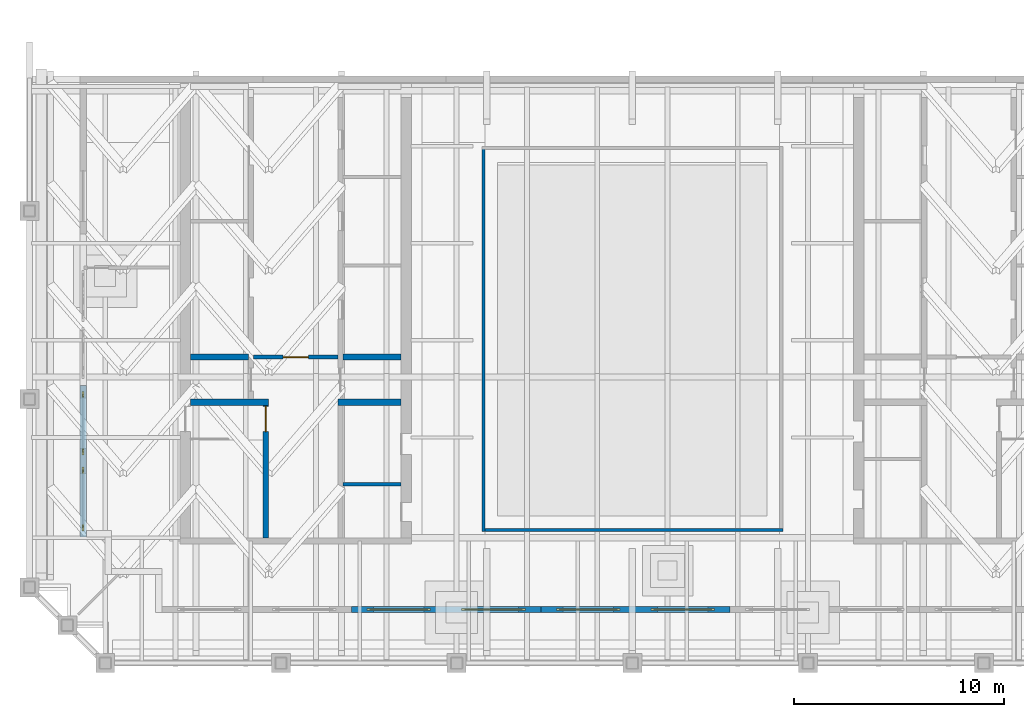
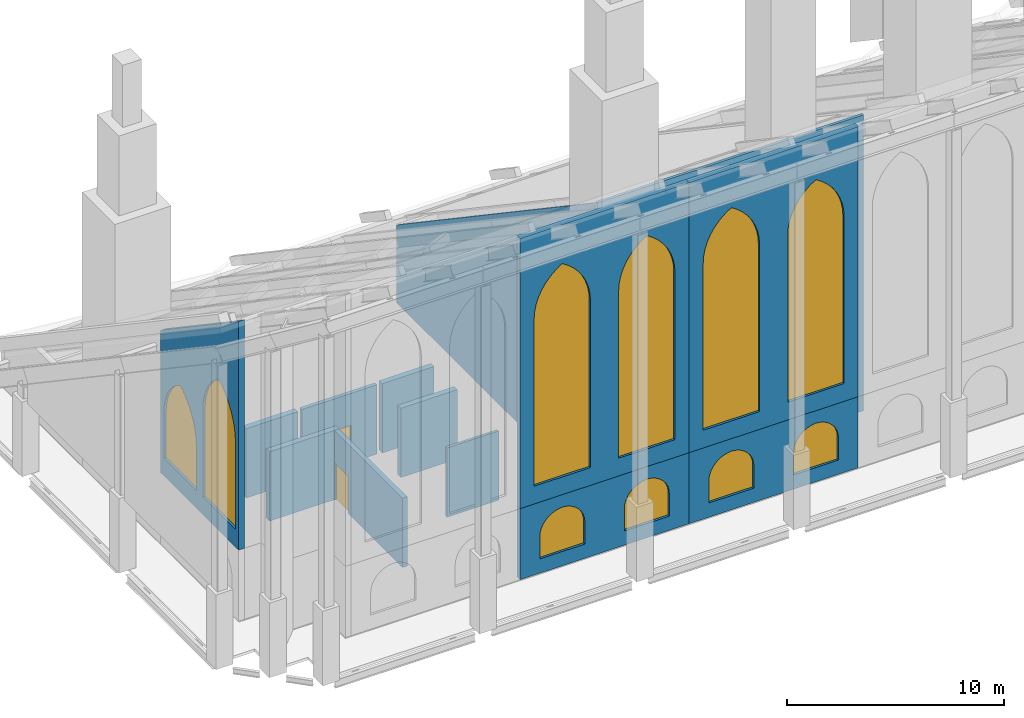
# One storey, part 4 of 9: 14 walls, 10 windows, 2 doors, 12 openings.
"""IFC4 building model written with IfcOpenShell, lengths in metres."""

from ifc_helpers import new_model, si_unit, direction, frame, frame_2d, origin, place, context, subcontext, project, spatial, polyline, rectangle, outline, extrude, material, layer, layer_set, type_object, element, fill, save


model = new_model("IFC4")

# Units and contexts
model_context = context("Model", 3, precision=1e-05, world=origin(), true_north=direction((0.0, 1.0)))
body_context = subcontext(model_context, "Body", "Model", "MODEL_VIEW")
ifc_project = project(units=[si_unit("LENGTHUNIT", "METRE"), si_unit("AREAUNIT", "SQUARE_METRE"), si_unit("VOLUMEUNIT", "CUBIC_METRE"), si_unit("PLANEANGLEUNIT", "RADIAN"), si_unit("MASSUNIT", "GRAM", prefix="KILO")], contexts=[model_context])

# Site, building, storey
site_placement = place(None, origin())
site = spatial("IfcSite", under=ifc_project, at=site_placement, CompositionType="ELEMENT")
building_placement = place(site_placement, origin())
building = spatial("IfcBuilding", under=site, at=building_placement, Name="Ogive Exchange Tower", CompositionType="ELEMENT")
storey_placement = place(building_placement, frame((0.0, 0.0, 394.199951171875)))
storey = spatial("IfcBuildingStorey", under=building, at=storey_placement, Name="C07", CompositionType="ELEMENT", Elevation=394.199951171875)

# Walls
ifc_material_1 = material(Name="Gypsum board partition")
ifc_layer_1 = layer(ifc_material_1, 0.14990234375)
ifc_layer_set_1 = layer_set([ifc_layer_1], Name="Core room partition 150 gypsum")
wall_type_1 = type_object("IfcWallType", Name="Core room partition 150 gypsum", PredefinedType="PARTITIONING", material=ifc_layer_set_1)
wall_1_placement = place(storey_placement, frame((-13.75, 0.10009765625, 0.0), z_axis=(0.0, 0.0, 1.0), x_axis=(1.0, 0.0, 0.0)))
element("IfcWall", 1, at=wall_1_placement, inside=storey, type_object=wall_type_1, Name="W south room partition", PredefinedType="PARTITIONING", context=body_context, shape_type="SweptSolid", body=[
    extrude(rectangle(XDim=2.75, YDim=0.14990234375, at=frame_2d((1.375, 0.0))), origin(), (0.0, 0.0, 1.0), 3.900146484375),
])
ifc_material_2 = material(Name="Fire-resisting glass in steel frame", Category="steel")
ifc_layer_2 = layer(ifc_material_2, 0.14990234375)
ifc_layer_set_2 = layer_set([ifc_layer_2], Name="Fire-rated glazed wall 150")
wall_type_2 = type_object("IfcWallType", Name="Fire-rated glazed wall 150", PredefinedType="STANDARD", material=ifc_layer_set_2)
wall_2_placement = place(storey_placement, frame((-7.074951171875, -2.14990234375, 0.0), z_axis=(0.0, 0.0, 1.0), x_axis=(0.0, 1.0, 0.0)))
element("IfcWall", 2, at=wall_2_placement, inside=storey, type_object=wall_type_2, Name="Nave enclosure wall 1", PredefinedType="STANDARD", context=body_context, shape_type="SweptSolid", body=[
    extrude(outline(polyline([(0.0, 0.0), (18.2998046875, 0.0), (18.300048828125, 4.354248046875), (0.0, 16.69775390625), (0.0, 0.0)])), frame((0.0, 0.074951171875, 0.0), z_axis=(0.0, -1.0, 0.0), x_axis=(1.0, 0.0, 0.0)), (0.0, 0.0, 1.0), 0.14990234375),
])
wall_3_placement = place(storey_placement, frame((7.14990234375, -2.074951171875, 0.0), z_axis=(0.0, 0.0, 1.0), x_axis=(-1.0, 0.0, 0.0)))
element("IfcWall", 3, at=wall_3_placement, inside=storey, type_object=wall_type_2, Name="Nave enclosure wall 4", PredefinedType="STANDARD", context=body_context, shape_type="SweptSolid", body=[
    extrude(rectangle(XDim=14.14990234375, YDim=0.14990234375, at=frame_2d((7.074951171875, 0.0))), origin(), (0.0, 0.0, 1.0), 16.64697265625),
])

# Wall, opening, door
ifc_material_3 = material(Name="Concrete C70/85", Category="concrete")
ifc_layer_3 = layer(ifc_material_3, 0.199951171875)
ifc_layer_set_3 = layer_set([ifc_layer_3], Name="RC core wall 200 C70/85")
wall_type_3 = type_object("IfcWallType", Name="RC core wall 200 C70/85", PredefinedType="SHEAR", material=ifc_layer_set_3)
wall_4_placement = place(storey_placement, frame((-18.0, 6.142822265625, 0.0), z_axis=(0.0, 0.0, 1.0), x_axis=(1.0, 0.0, 0.0)))
wall_4 = element("IfcWall", 4, at=wall_4_placement, inside=storey, type_object=wall_type_3, Name="W firefighting lobby wall", PredefinedType="SHEAR", context=body_context, shape_type="SweptSolid", body=[
    extrude(rectangle(XDim=4.0, YDim=0.199951171875, at=frame_2d((2.0, 0.0))), origin(), (0.0, 0.0, 1.0), 3.900146484375),
])
opening_1_placement = place(wall_4_placement, frame((1.39990234375, 0.0, 0.0)))
opening_1 = element("IfcOpeningElement", 5, at=opening_1_placement, cuts=wall_4, Name="Opening C07-C08", PredefinedType="OPENING", context=body_context, shape_type="SweptSolid", body=[
    extrude(rectangle(XDim=1.199951171875, YDim=2.10009765625, at=frame_2d((0.60009765625, 1.050048828125))), frame((0.0, 0.10986328125, 0.0), z_axis=(0.0, -1.0, 0.0), x_axis=(1.0, 0.0, 0.0)), (0.0, 0.0, 1.0), 0.219970703125),
])
ifc_material_4 = material(Name="Steel fire door", Category="steel")
door_type_1 = type_object("IfcDoorType", Name="Firefighting lobby door FD60 1200 x 2100", OperationType="NOTDEFINED", PredefinedType="DOOR", material=ifc_material_4)
door_1_placement = place(opening_1_placement, frame((1.199951171875, 0.0, 0.0), z_axis=(0.0, 0.0, 1.0), x_axis=(-1.0, 0.0, 0.0)))
door_1 = element("IfcDoor", 6, at=door_1_placement, inside=storey, type_object=door_type_1, Name="Firefighting lobby door", ObjectType="CD3", OperationType="SINGLE_SWING_LEFT", OverallHeight=2.10009765625, OverallWidth=1.199951171875, PredefinedType="DOOR", context=body_context, shape_type="SweptSolid", body=[
    extrude(rectangle(XDim=1.199951171875, YDim=2.10009765625, at=frame_2d((0.60009765625, 1.050048828125))), frame((0.0, 0.02490234375, 0.0), z_axis=(0.0, -1.0, 0.0), x_axis=(1.0, 0.0, 0.0)), (0.0, 0.0, 1.0), 0.050048828125),
])
fill(opening_1, door_1)

ifc_layer_4 = layer(ifc_material_3, 0.25)
ifc_layer_set_4 = layer_set([ifc_layer_4], Name="RC core wall 250 C70/85")
wall_type_4 = type_object("IfcWallType", Name="RC core wall 250 C70/85", PredefinedType="SHEAR", material=ifc_layer_set_4)
wall_5_placement = place(storey_placement, frame((-17.425048828125, -2.449951171875, 0.0), z_axis=(0.0, 0.0, 1.0), x_axis=(0.0, 1.0, 0.0)))
wall_5 = element("IfcWall", 7, at=wall_5_placement, inside=storey, type_object=wall_type_4, Name="W stair S front wall", PredefinedType="SHEAR", context=body_context, shape_type="SweptSolid", body=[
    extrude(rectangle(XDim=6.300048828125, YDim=0.25, at=frame_2d((3.14990234375, 0.0))), origin(), (0.0, 0.0, 1.0), 3.900146484375),
])
opening_2_placement = place(wall_5_placement, frame((5.050048828125, 0.0, 0.0)))
opening_2 = element("IfcOpeningElement", 8, at=opening_2_placement, cuts=wall_5, Name="Opening C07-C09", PredefinedType="OPENING", context=body_context, shape_type="SweptSolid", body=[
    extrude(rectangle(XDim=1.199951171875, YDim=2.10009765625, at=frame_2d((0.60009765625, 1.050048828125))), frame((0.0, 0.135009765625, 0.0), z_axis=(0.0, -1.0, 0.0), x_axis=(1.0, 0.0, 0.0)), (0.0, 0.0, 1.0), 0.27001953125),
])
door_type_2 = type_object("IfcDoorType", Name="Stair door FD90 1200 x 2100", OperationType="NOTDEFINED", PredefinedType="DOOR", material=ifc_material_4)
door_2_placement = place(opening_2_placement, origin())
door_2 = element("IfcDoor", 9, at=door_2_placement, inside=storey, type_object=door_type_2, Name="Stair door", ObjectType="CD5", OperationType="SINGLE_SWING_LEFT", OverallHeight=2.10009765625, OverallWidth=1.199951171875, PredefinedType="DOOR", context=body_context, shape_type="SweptSolid", body=[
    extrude(rectangle(XDim=1.199951171875, YDim=2.10009765625, at=frame_2d((0.60009765625, 1.050048828125))), frame((0.0, 0.02490234375, 0.0), z_axis=(0.0, -1.0, 0.0), x_axis=(1.0, 0.0, 0.0)), (0.0, 0.0, 1.0), 0.050048828125),
])
fill(opening_2, door_2)

# Walls
ifc_layer_5 = layer(ifc_material_3, 0.300048828125)
ifc_layer_set_5 = layer_set([ifc_layer_5], Name="RC core wall 300 C70/85")
wall_type_5 = type_object("IfcWallType", Name="RC core wall 300 C70/85", PredefinedType="SHEAR", material=ifc_layer_set_5)
wall_6_placement = place(storey_placement, frame((-21.0, 4.0, 0.0), z_axis=(0.0, 0.0, 1.0), x_axis=(1.0, 0.0, 0.0)))
element("IfcWall", 10, at=wall_6_placement, inside=storey, type_object=wall_type_5, Name="W stair S north wall", PredefinedType="SHEAR", context=body_context, shape_type="SweptSolid", body=[
    extrude(rectangle(XDim=3.699951171875, YDim=0.300048828125, at=frame_2d((1.85009765625, 0.0))), origin(), (0.0, 0.0, 1.0), 3.900146484375),
])
wall_7_placement = place(storey_placement, frame((-21.0, 6.142822265625, 0.0), z_axis=(0.0, 0.0, 1.0), x_axis=(1.0, 0.0, 0.0)))
element("IfcWall", 11, at=wall_7_placement, inside=storey, type_object=wall_type_5, Name="W row A divider 1", PredefinedType="SHEAR", context=body_context, shape_type="SweptSolid", body=[
    extrude(rectangle(XDim=2.75, YDim=0.300048828125, at=frame_2d((1.375, 0.0))), origin(), (0.0, 0.0, 1.0), 3.900146484375),
])
wall_8_placement = place(storey_placement, frame((-14.0, 4.0, 0.0), z_axis=(0.0, 0.0, 1.0), x_axis=(1.0, 0.0, 0.0)))
element("IfcWall", 12, at=wall_8_placement, inside=storey, type_object=wall_type_5, Name="W row B divider 0", PredefinedType="SHEAR", context=body_context, shape_type="SweptSolid", body=[
    extrude(rectangle(XDim=3.0, YDim=0.300048828125, at=frame_2d((1.5, 0.0))), origin(), (0.0, 0.0, 1.0), 3.900146484375),
])
wall_9_placement = place(storey_placement, frame((-13.75, 6.142822265625, 0.0), z_axis=(0.0, 0.0, 1.0), x_axis=(1.0, 0.0, 0.0)))
element("IfcWall", 13, at=wall_9_placement, inside=storey, type_object=wall_type_5, Name="W row B divider 1", PredefinedType="SHEAR", context=body_context, shape_type="SweptSolid", body=[
    extrude(rectangle(XDim=2.75, YDim=0.300048828125, at=frame_2d((1.375, 0.0))), origin(), (0.0, 0.0, 1.0), 3.900146484375),
])

# Wall, openings, windows
ifc_material_5 = material(Name="Precast concrete C40/50", Category="concrete")
ifc_layer_6 = layer(ifc_material_5, 0.300048828125)
ifc_layer_set_6 = layer_set([ifc_layer_6], Name="Zinc-clad crown wall 300")
wall_type_6 = type_object("IfcWallType", Name="Zinc-clad crown wall 300", PredefinedType="STANDARD", material=ifc_layer_set_6)
wall_10_placement = place(storey_placement, frame((-13.35009765625, -5.85009765625, 0.0), z_axis=(0.0, 0.0, 1.0), x_axis=(1.0, 0.0, 0.0)))
wall_10 = element("IfcWall", 14, at=wall_10_placement, inside=storey, type_object=wall_type_6, Name="Crown wall 5", PredefinedType="STANDARD", context=body_context, shape_type="SweptSolid", body=[
    extrude(rectangle(XDim=9.0, YDim=0.300048828125, at=frame_2d((4.5, 0.0))), origin(), (0.0, 0.0, 1.0), 4.0),
])
opening_3_placement = place(wall_10_placement, frame((1.050048828125, 0.0, 0.800048828125)))
opening_3 = element("IfcOpeningElement", 15, at=opening_3_placement, cuts=wall_10, Name="Opening WC25", PredefinedType="OPENING", context=body_context, shape_type="SweptSolid", body=[
    extrude(outline(polyline([(0.0, 0.0), (2.39990234375, 0.0), (2.39990234375, 1.25), (2.377197265625, 1.48779296875), (2.3095703125, 1.717041015625), (2.19970703125, 1.928955078125), (2.05126953125, 2.116455078125), (1.8701171875, 2.272216796875), (1.662841796875, 2.390625), (1.4365234375, 2.467529296875), (1.199951171875, 2.5), (0.96337890625, 2.467529296875), (0.737060546875, 2.390625), (0.52978515625, 2.272216796875), (0.3486328125, 2.116455078125), (0.2001953125, 1.928955078125), (0.09033203125, 1.717041015625), (0.022705078125, 1.48779296875), (0.0, 1.25), (0.0, 0.0)])), frame((0.0, 0.159912109375, 0.0), z_axis=(0.0, -1.0, 0.0), x_axis=(1.0, 0.0, 0.0)), (0.0, 0.0, 1.0), 0.320068359375),
])
opening_4_placement = place(wall_10_placement, frame((5.550048828125, 0.0, 0.800048828125)))
opening_4 = element("IfcOpeningElement", 16, at=opening_4_placement, cuts=wall_10, Name="Opening WC25", PredefinedType="OPENING", context=body_context, shape_type="SweptSolid", body=[
    extrude(outline(polyline([(0.0, 0.0), (2.39990234375, 0.0), (2.39990234375, 1.25), (2.377197265625, 1.48779296875), (2.3095703125, 1.717041015625), (2.19970703125, 1.928955078125), (2.05126953125, 2.116455078125), (1.8701171875, 2.272216796875), (1.662841796875, 2.390625), (1.4365234375, 2.467529296875), (1.199951171875, 2.5), (0.96337890625, 2.467529296875), (0.737060546875, 2.390625), (0.52978515625, 2.272216796875), (0.3486328125, 2.116455078125), (0.2001953125, 1.928955078125), (0.09033203125, 1.717041015625), (0.022705078125, 1.48779296875), (0.0, 1.25), (0.0, 0.0)])), frame((0.0, 0.159912109375, 0.0), z_axis=(0.0, -1.0, 0.0), x_axis=(1.0, 0.0, 0.0)), (0.0, 0.0, 1.0), 0.320068359375),
])
ifc_material_6 = material(Name="Clear glass in bronze frame", Category="glass")
window_type_1 = type_object("IfcWindowType", Name="Crown lancet window 2400 x 2500", PartitioningType="DOUBLE_PANEL_VERTICAL", PredefinedType="WINDOW", material=ifc_material_6)
window_1_placement = place(opening_3_placement, origin())
window_1 = element("IfcWindow", 17, at=window_1_placement, inside=storey, type_object=window_type_1, Name="Crown lancet 5.1", OverallHeight=2.5, OverallWidth=2.39990234375, PartitioningType="DOUBLE_PANEL_VERTICAL", PredefinedType="WINDOW", context=body_context, shape_type="SweptSolid", body=[
    extrude(outline(polyline([(0.0, 0.0), (2.39990234375, 0.0), (2.39990234375, 1.25), (2.377197265625, 1.48779296875), (2.3095703125, 1.717041015625), (2.19970703125, 1.928955078125), (2.05126953125, 2.116455078125), (1.8701171875, 2.272216796875), (1.662841796875, 2.390625), (1.4365234375, 2.467529296875), (1.199951171875, 2.5), (0.96337890625, 2.467529296875), (0.737060546875, 2.390625), (0.52978515625, 2.272216796875), (0.3486328125, 2.116455078125), (0.2001953125, 1.928955078125), (0.09033203125, 1.717041015625), (0.022705078125, 1.48779296875), (0.0, 1.25), (0.0, 0.0)])), frame((0.0, 0.030029296875, 0.0), z_axis=(0.0, -1.0, 0.0), x_axis=(1.0, 0.0, 0.0)), (0.0, 0.0, 1.0), 0.06005859375),
])
fill(opening_3, window_1)
window_2_placement = place(opening_4_placement, origin())
window_2 = element("IfcWindow", 18, at=window_2_placement, inside=storey, type_object=window_type_1, Name="Crown lancet 5.2", OverallHeight=2.5, OverallWidth=2.39990234375, PartitioningType="DOUBLE_PANEL_VERTICAL", PredefinedType="WINDOW", context=body_context, shape_type="SweptSolid", body=[
    extrude(outline(polyline([(0.0, 0.0), (2.39990234375, 0.0), (2.39990234375, 1.25), (2.377197265625, 1.48779296875), (2.3095703125, 1.717041015625), (2.19970703125, 1.928955078125), (2.05126953125, 2.116455078125), (1.8701171875, 2.272216796875), (1.662841796875, 2.390625), (1.4365234375, 2.467529296875), (1.199951171875, 2.5), (0.96337890625, 2.467529296875), (0.737060546875, 2.390625), (0.52978515625, 2.272216796875), (0.3486328125, 2.116455078125), (0.2001953125, 1.928955078125), (0.09033203125, 1.717041015625), (0.022705078125, 1.48779296875), (0.0, 1.25), (0.0, 0.0)])), frame((0.0, 0.030029296875, 0.0), z_axis=(0.0, -1.0, 0.0), x_axis=(1.0, 0.0, 0.0)), (0.0, 0.0, 1.0), 0.06005859375),
])
fill(opening_4, window_2)

wall_11_placement = place(storey_placement, frame((-13.35009765625, -5.85009765625, 4.0), z_axis=(0.0, 0.0, 1.0), x_axis=(1.0, 0.0, 0.0)))
wall_11 = element("IfcWall", 19, at=wall_11_placement, inside=storey, type_object=wall_type_6, Name="Crown clerestory wall 5", PredefinedType="STANDARD", context=body_context, shape_type="SweptSolid", body=[
    extrude(rectangle(XDim=9.0, YDim=0.300048828125, at=frame_2d((4.5, 0.0))), origin(), (0.0, 0.0, 1.0), 15.193359375),
])
opening_5_placement = place(wall_11_placement, frame((0.75, 0.0, 1.0)))
opening_5 = element("IfcOpeningElement", 20, at=opening_5_placement, cuts=wall_11, Name="Opening WC120", PredefinedType="OPENING", context=body_context, shape_type="SweptSolid", body=[
    extrude(outline(polyline([(0.0, 0.0), (3.0, 0.0), (3.0, 9.402099609375), (2.974365234375, 9.793701171875), (2.897705078125, 10.178466796875), (2.771728515625, 10.550048828125), (2.59814453125, 10.902099609375), (2.380126953125, 11.228271484375), (2.121337890625, 11.523193359375), (1.826171875, 11.781982421875), (1.5, 12.0), (1.173828125, 11.781982421875), (0.878662109375, 11.523193359375), (0.619873046875, 11.228271484375), (0.40185546875, 10.902099609375), (0.228271484375, 10.550048828125), (0.102294921875, 10.178466796875), (0.025634765625, 9.793701171875), (0.0, 9.402099609375), (0.0, 0.0)])), frame((0.0, 0.159912109375, 0.0), z_axis=(0.0, -1.0, 0.0), x_axis=(1.0, 0.0, 0.0)), (0.0, 0.0, 1.0), 0.320068359375),
])
opening_6_placement = place(wall_11_placement, frame((5.25, 0.0, 1.0)))
opening_6 = element("IfcOpeningElement", 21, at=opening_6_placement, cuts=wall_11, Name="Opening WC120", PredefinedType="OPENING", context=body_context, shape_type="SweptSolid", body=[
    extrude(outline(polyline([(0.0, 0.0), (3.0, 0.0), (3.0, 9.402099609375), (2.974365234375, 9.793701171875), (2.897705078125, 10.178466796875), (2.771728515625, 10.550048828125), (2.59814453125, 10.902099609375), (2.380126953125, 11.228271484375), (2.121337890625, 11.523193359375), (1.826171875, 11.781982421875), (1.5, 12.0), (1.173828125, 11.781982421875), (0.878662109375, 11.523193359375), (0.619873046875, 11.228271484375), (0.40185546875, 10.902099609375), (0.228271484375, 10.550048828125), (0.102294921875, 10.178466796875), (0.025634765625, 9.793701171875), (0.0, 9.402099609375), (0.0, 0.0)])), frame((0.0, 0.159912109375, 0.0), z_axis=(0.0, -1.0, 0.0), x_axis=(1.0, 0.0, 0.0)), (0.0, 0.0, 1.0), 0.320068359375),
])
window_type_2 = type_object("IfcWindowType", Name="Crown lancet window 3000 x 12000", PartitioningType="DOUBLE_PANEL_VERTICAL", PredefinedType="WINDOW", material=ifc_material_6)
window_3_placement = place(opening_5_placement, origin())
window_3 = element("IfcWindow", 22, at=window_3_placement, inside=storey, type_object=window_type_2, Name="Crown lancet 5.1", OverallHeight=12.0, OverallWidth=3.0, PartitioningType="DOUBLE_PANEL_VERTICAL", PredefinedType="WINDOW", context=body_context, shape_type="SweptSolid", body=[
    extrude(outline(polyline([(0.0, 0.0), (3.0, 0.0), (3.0, 9.402099609375), (2.974365234375, 9.793701171875), (2.897705078125, 10.178466796875), (2.771728515625, 10.550048828125), (2.59814453125, 10.902099609375), (2.380126953125, 11.228271484375), (2.121337890625, 11.523193359375), (1.826171875, 11.781982421875), (1.5, 12.0), (1.173828125, 11.781982421875), (0.878662109375, 11.523193359375), (0.619873046875, 11.228271484375), (0.40185546875, 10.902099609375), (0.228271484375, 10.550048828125), (0.102294921875, 10.178466796875), (0.025634765625, 9.793701171875), (0.0, 9.402099609375), (0.0, 0.0)])), frame((0.0, 0.030029296875, 0.0), z_axis=(0.0, -1.0, 0.0), x_axis=(1.0, 0.0, 0.0)), (0.0, 0.0, 1.0), 0.06005859375),
])
fill(opening_5, window_3)
window_4_placement = place(opening_6_placement, origin())
window_4 = element("IfcWindow", 23, at=window_4_placement, inside=storey, type_object=window_type_2, Name="Crown lancet 5.2", OverallHeight=12.0, OverallWidth=3.0, PartitioningType="DOUBLE_PANEL_VERTICAL", PredefinedType="WINDOW", context=body_context, shape_type="SweptSolid", body=[
    extrude(outline(polyline([(0.0, 0.0), (3.0, 0.0), (3.0, 9.402099609375), (2.974365234375, 9.793701171875), (2.897705078125, 10.178466796875), (2.771728515625, 10.550048828125), (2.59814453125, 10.902099609375), (2.380126953125, 11.228271484375), (2.121337890625, 11.523193359375), (1.826171875, 11.781982421875), (1.5, 12.0), (1.173828125, 11.781982421875), (0.878662109375, 11.523193359375), (0.619873046875, 11.228271484375), (0.40185546875, 10.902099609375), (0.228271484375, 10.550048828125), (0.102294921875, 10.178466796875), (0.025634765625, 9.793701171875), (0.0, 9.402099609375), (0.0, 0.0)])), frame((0.0, 0.030029296875, 0.0), z_axis=(0.0, -1.0, 0.0), x_axis=(1.0, 0.0, 0.0)), (0.0, 0.0, 1.0), 0.06005859375),
])
fill(opening_6, window_4)

wall_12_placement = place(storey_placement, frame((-4.35009765625, -5.85009765625, 0.0), z_axis=(0.0, 0.0, 1.0), x_axis=(1.0, 0.0, 0.0)))
wall_12 = element("IfcWall", 24, at=wall_12_placement, inside=storey, type_object=wall_type_6, Name="Crown wall 6", PredefinedType="STANDARD", context=body_context, shape_type="SweptSolid", body=[
    extrude(rectangle(XDim=9.0, YDim=0.300048828125, at=frame_2d((4.5, 0.0))), origin(), (0.0, 0.0, 1.0), 4.0),
])
opening_7_placement = place(wall_12_placement, frame((1.050048828125, 0.0, 0.800048828125)))
opening_7 = element("IfcOpeningElement", 25, at=opening_7_placement, cuts=wall_12, Name="Opening WC25", PredefinedType="OPENING", context=body_context, shape_type="SweptSolid", body=[
    extrude(outline(polyline([(0.0, 0.0), (2.39990234375, 0.0), (2.39990234375, 1.25), (2.377197265625, 1.48779296875), (2.3095703125, 1.717041015625), (2.19970703125, 1.928955078125), (2.05126953125, 2.116455078125), (1.8701171875, 2.272216796875), (1.662841796875, 2.390625), (1.4365234375, 2.467529296875), (1.199951171875, 2.5), (0.96337890625, 2.467529296875), (0.737060546875, 2.390625), (0.52978515625, 2.272216796875), (0.3486328125, 2.116455078125), (0.2001953125, 1.928955078125), (0.09033203125, 1.717041015625), (0.022705078125, 1.48779296875), (0.0, 1.25), (0.0, 0.0)])), frame((0.0, 0.159912109375, 0.0), z_axis=(0.0, -1.0, 0.0), x_axis=(1.0, 0.0, 0.0)), (0.0, 0.0, 1.0), 0.320068359375),
])
opening_8_placement = place(wall_12_placement, frame((5.550048828125, 0.0, 0.800048828125)))
opening_8 = element("IfcOpeningElement", 26, at=opening_8_placement, cuts=wall_12, Name="Opening WC25", PredefinedType="OPENING", context=body_context, shape_type="SweptSolid", body=[
    extrude(outline(polyline([(0.0, 0.0), (2.39990234375, 0.0), (2.39990234375, 1.25), (2.377197265625, 1.48779296875), (2.3095703125, 1.717041015625), (2.19970703125, 1.928955078125), (2.05126953125, 2.116455078125), (1.8701171875, 2.272216796875), (1.662841796875, 2.390625), (1.4365234375, 2.467529296875), (1.199951171875, 2.5), (0.96337890625, 2.467529296875), (0.737060546875, 2.390625), (0.52978515625, 2.272216796875), (0.3486328125, 2.116455078125), (0.2001953125, 1.928955078125), (0.09033203125, 1.717041015625), (0.022705078125, 1.48779296875), (0.0, 1.25), (0.0, 0.0)])), frame((0.0, 0.159912109375, 0.0), z_axis=(0.0, -1.0, 0.0), x_axis=(1.0, 0.0, 0.0)), (0.0, 0.0, 1.0), 0.320068359375),
])
window_5_placement = place(opening_7_placement, origin())
window_5 = element("IfcWindow", 27, at=window_5_placement, inside=storey, type_object=window_type_1, Name="Crown lancet 6.1", OverallHeight=2.5, OverallWidth=2.39990234375, PartitioningType="DOUBLE_PANEL_VERTICAL", PredefinedType="WINDOW", context=body_context, shape_type="SweptSolid", body=[
    extrude(outline(polyline([(0.0, 0.0), (2.39990234375, 0.0), (2.39990234375, 1.25), (2.377197265625, 1.48779296875), (2.3095703125, 1.717041015625), (2.19970703125, 1.928955078125), (2.05126953125, 2.116455078125), (1.8701171875, 2.272216796875), (1.662841796875, 2.390625), (1.4365234375, 2.467529296875), (1.199951171875, 2.5), (0.96337890625, 2.467529296875), (0.737060546875, 2.390625), (0.52978515625, 2.272216796875), (0.3486328125, 2.116455078125), (0.2001953125, 1.928955078125), (0.09033203125, 1.717041015625), (0.022705078125, 1.48779296875), (0.0, 1.25), (0.0, 0.0)])), frame((0.0, 0.030029296875, 0.0), z_axis=(0.0, -1.0, 0.0), x_axis=(1.0, 0.0, 0.0)), (0.0, 0.0, 1.0), 0.06005859375),
])
fill(opening_7, window_5)
window_6_placement = place(opening_8_placement, origin())
window_6 = element("IfcWindow", 28, at=window_6_placement, inside=storey, type_object=window_type_1, Name="Crown lancet 6.2", OverallHeight=2.5, OverallWidth=2.39990234375, PartitioningType="DOUBLE_PANEL_VERTICAL", PredefinedType="WINDOW", context=body_context, shape_type="SweptSolid", body=[
    extrude(outline(polyline([(0.0, 0.0), (2.39990234375, 0.0), (2.39990234375, 1.25), (2.377197265625, 1.48779296875), (2.3095703125, 1.717041015625), (2.19970703125, 1.928955078125), (2.05126953125, 2.116455078125), (1.8701171875, 2.272216796875), (1.662841796875, 2.390625), (1.4365234375, 2.467529296875), (1.199951171875, 2.5), (0.96337890625, 2.467529296875), (0.737060546875, 2.390625), (0.52978515625, 2.272216796875), (0.3486328125, 2.116455078125), (0.2001953125, 1.928955078125), (0.09033203125, 1.717041015625), (0.022705078125, 1.48779296875), (0.0, 1.25), (0.0, 0.0)])), frame((0.0, 0.030029296875, 0.0), z_axis=(0.0, -1.0, 0.0), x_axis=(1.0, 0.0, 0.0)), (0.0, 0.0, 1.0), 0.06005859375),
])
fill(opening_8, window_6)

wall_13_placement = place(storey_placement, frame((-4.35009765625, -5.85009765625, 4.0), z_axis=(0.0, 0.0, 1.0), x_axis=(1.0, 0.0, 0.0)))
wall_13 = element("IfcWall", 29, at=wall_13_placement, inside=storey, type_object=wall_type_6, Name="Crown clerestory wall 6", PredefinedType="STANDARD", context=body_context, shape_type="SweptSolid", body=[
    extrude(rectangle(XDim=9.0, YDim=0.300048828125, at=frame_2d((4.5, 0.0))), origin(), (0.0, 0.0, 1.0), 15.193359375),
])
opening_9_placement = place(wall_13_placement, frame((0.75, 0.0, 1.0)))
opening_9 = element("IfcOpeningElement", 30, at=opening_9_placement, cuts=wall_13, Name="Opening WC120", PredefinedType="OPENING", context=body_context, shape_type="SweptSolid", body=[
    extrude(outline(polyline([(0.0, 0.0), (3.0, 0.0), (3.0, 9.402099609375), (2.974365234375, 9.793701171875), (2.897705078125, 10.178466796875), (2.771728515625, 10.550048828125), (2.59814453125, 10.902099609375), (2.380126953125, 11.228271484375), (2.121337890625, 11.523193359375), (1.826171875, 11.781982421875), (1.5, 12.0), (1.173828125, 11.781982421875), (0.878662109375, 11.523193359375), (0.619873046875, 11.228271484375), (0.40185546875, 10.902099609375), (0.228271484375, 10.550048828125), (0.102294921875, 10.178466796875), (0.025634765625, 9.793701171875), (0.0, 9.402099609375), (0.0, 0.0)])), frame((0.0, 0.159912109375, 0.0), z_axis=(0.0, -1.0, 0.0), x_axis=(1.0, 0.0, 0.0)), (0.0, 0.0, 1.0), 0.320068359375),
])
opening_10_placement = place(wall_13_placement, frame((5.25, 0.0, 1.0)))
opening_10 = element("IfcOpeningElement", 31, at=opening_10_placement, cuts=wall_13, Name="Opening WC120", PredefinedType="OPENING", context=body_context, shape_type="SweptSolid", body=[
    extrude(outline(polyline([(0.0, 0.0), (3.0, 0.0), (3.0, 9.402099609375), (2.974365234375, 9.793701171875), (2.897705078125, 10.178466796875), (2.771728515625, 10.550048828125), (2.59814453125, 10.902099609375), (2.380126953125, 11.228271484375), (2.121337890625, 11.523193359375), (1.826171875, 11.781982421875), (1.5, 12.0), (1.173828125, 11.781982421875), (0.878662109375, 11.523193359375), (0.619873046875, 11.228271484375), (0.40185546875, 10.902099609375), (0.228271484375, 10.550048828125), (0.102294921875, 10.178466796875), (0.025634765625, 9.793701171875), (0.0, 9.402099609375), (0.0, 0.0)])), frame((0.0, 0.159912109375, 0.0), z_axis=(0.0, -1.0, 0.0), x_axis=(1.0, 0.0, 0.0)), (0.0, 0.0, 1.0), 0.320068359375),
])
window_7_placement = place(opening_9_placement, origin())
window_7 = element("IfcWindow", 32, at=window_7_placement, inside=storey, type_object=window_type_2, Name="Crown lancet 6.1", OverallHeight=12.0, OverallWidth=3.0, PartitioningType="DOUBLE_PANEL_VERTICAL", PredefinedType="WINDOW", context=body_context, shape_type="SweptSolid", body=[
    extrude(outline(polyline([(0.0, 0.0), (3.0, 0.0), (3.0, 9.402099609375), (2.974365234375, 9.793701171875), (2.897705078125, 10.178466796875), (2.771728515625, 10.550048828125), (2.59814453125, 10.902099609375), (2.380126953125, 11.228271484375), (2.121337890625, 11.523193359375), (1.826171875, 11.781982421875), (1.5, 12.0), (1.173828125, 11.781982421875), (0.878662109375, 11.523193359375), (0.619873046875, 11.228271484375), (0.40185546875, 10.902099609375), (0.228271484375, 10.550048828125), (0.102294921875, 10.178466796875), (0.025634765625, 9.793701171875), (0.0, 9.402099609375), (0.0, 0.0)])), frame((0.0, 0.030029296875, 0.0), z_axis=(0.0, -1.0, 0.0), x_axis=(1.0, 0.0, 0.0)), (0.0, 0.0, 1.0), 0.06005859375),
])
fill(opening_9, window_7)
window_8_placement = place(opening_10_placement, origin())
window_8 = element("IfcWindow", 33, at=window_8_placement, inside=storey, type_object=window_type_2, Name="Crown lancet 6.2", OverallHeight=12.0, OverallWidth=3.0, PartitioningType="DOUBLE_PANEL_VERTICAL", PredefinedType="WINDOW", context=body_context, shape_type="SweptSolid", body=[
    extrude(outline(polyline([(0.0, 0.0), (3.0, 0.0), (3.0, 9.402099609375), (2.974365234375, 9.793701171875), (2.897705078125, 10.178466796875), (2.771728515625, 10.550048828125), (2.59814453125, 10.902099609375), (2.380126953125, 11.228271484375), (2.121337890625, 11.523193359375), (1.826171875, 11.781982421875), (1.5, 12.0), (1.173828125, 11.781982421875), (0.878662109375, 11.523193359375), (0.619873046875, 11.228271484375), (0.40185546875, 10.902099609375), (0.228271484375, 10.550048828125), (0.102294921875, 10.178466796875), (0.025634765625, 9.793701171875), (0.0, 9.402099609375), (0.0, 0.0)])), frame((0.0, 0.030029296875, 0.0), z_axis=(0.0, -1.0, 0.0), x_axis=(1.0, 0.0, 0.0)), (0.0, 0.0, 1.0), 0.06005859375),
])
fill(opening_10, window_8)

wall_14_placement = place(storey_placement, frame((-26.10009765625, 4.798095703125, 4.0), z_axis=(0.0, 0.0, 1.0), x_axis=(0.0, -1.0, 0.0)))
wall_14 = element("IfcWall", 34, at=wall_14_placement, inside=storey, type_object=wall_type_6, Name="Crown clerestory wall 24", PredefinedType="STANDARD", context=body_context, shape_type="SweptSolid", body=[
    extrude(outline(polyline([(0.0, 0.0), (7.197998046875, 0.0), (7.197998046875, 12.8662109375), (0.0, 8.01123046875), (0.0, 0.0)])), frame((0.0, 0.14990234375, 0.0), z_axis=(0.0, -1.0, 0.0), x_axis=(1.0, 0.0, 0.0)), (0.0, 0.0, 1.0), 0.300048828125),
])
opening_11_placement = place(wall_14_placement, frame((0.299560546875, 0.0, 1.0)))
opening_11 = element("IfcOpeningElement", 35, at=opening_11_placement, cuts=wall_14, Name="Opening WC50", PredefinedType="OPENING", context=body_context, shape_type="SweptSolid", body=[
    extrude(outline(polyline([(0.0, 0.0), (3.0, 0.0), (3.0, 2.5), (2.97412109375, 2.881591796875), (2.897216796875, 3.25634765625), (2.7705078125, 3.6171875), (2.59619140625, 3.957763671875), (2.377685546875, 4.271728515625), (2.118896484375, 4.553466796875), (1.82470703125, 4.797607421875), (1.5, 5.0), (1.17529296875, 4.797607421875), (0.881103515625, 4.553466796875), (0.622314453125, 4.271728515625), (0.40380859375, 3.957763671875), (0.2294921875, 3.6171875), (0.102783203125, 3.25634765625), (0.02587890625, 2.881591796875), (0.0, 2.5), (0.0, 0.0)])), frame((0.0, 0.159912109375, 0.0), z_axis=(0.0, -1.0, 0.0), x_axis=(1.0, 0.0, 0.0)), (0.0, 0.0, 1.0), 0.320068359375),
])
opening_12_placement = place(wall_14_placement, frame((3.8984375, 0.0, 1.0)))
opening_12 = element("IfcOpeningElement", 36, at=opening_12_placement, cuts=wall_14, Name="Opening WC75", PredefinedType="OPENING", context=body_context, shape_type="SweptSolid", body=[
    extrude(outline(polyline([(0.0, 0.0), (3.0, 0.0), (3.0, 4.902099609375), (2.974365234375, 5.293701171875), (2.897705078125, 5.678466796875), (2.771728515625, 6.050048828125), (2.59814453125, 6.402099609375), (2.380126953125, 6.728271484375), (2.121337890625, 7.023193359375), (1.826171875, 7.281982421875), (1.5, 7.5), (1.173828125, 7.281982421875), (0.878662109375, 7.023193359375), (0.619873046875, 6.728271484375), (0.40185546875, 6.402099609375), (0.228271484375, 6.050048828125), (0.102294921875, 5.678466796875), (0.025634765625, 5.293701171875), (0.0, 4.902099609375), (0.0, 0.0)])), frame((0.0, 0.159912109375, 0.0), z_axis=(0.0, -1.0, 0.0), x_axis=(1.0, 0.0, 0.0)), (0.0, 0.0, 1.0), 0.320068359375),
])
window_type_3 = type_object("IfcWindowType", Name="Crown lancet window 3000 x 5000", PartitioningType="DOUBLE_PANEL_VERTICAL", PredefinedType="WINDOW", material=ifc_material_6)
window_9_placement = place(opening_11_placement, origin())
window_9 = element("IfcWindow", 37, at=window_9_placement, inside=storey, type_object=window_type_3, Name="Crown lancet 24.1", OverallHeight=5.0, OverallWidth=3.0, PartitioningType="DOUBLE_PANEL_VERTICAL", PredefinedType="WINDOW", context=body_context, shape_type="SweptSolid", body=[
    extrude(outline(polyline([(0.0, 0.0), (3.0, 0.0), (3.0, 2.5), (2.97412109375, 2.881591796875), (2.897216796875, 3.25634765625), (2.7705078125, 3.6171875), (2.59619140625, 3.957763671875), (2.377685546875, 4.271728515625), (2.118896484375, 4.553466796875), (1.82470703125, 4.797607421875), (1.5, 5.0), (1.17529296875, 4.797607421875), (0.881103515625, 4.553466796875), (0.622314453125, 4.271728515625), (0.40380859375, 3.957763671875), (0.2294921875, 3.6171875), (0.102783203125, 3.25634765625), (0.02587890625, 2.881591796875), (0.0, 2.5), (0.0, 0.0)])), frame((0.0, 0.030029296875, 0.0), z_axis=(0.0, -1.0, 0.0), x_axis=(1.0, 0.0, 0.0)), (0.0, 0.0, 1.0), 0.06005859375),
])
fill(opening_11, window_9)
window_type_4 = type_object("IfcWindowType", Name="Crown lancet window 3000 x 7500", PartitioningType="DOUBLE_PANEL_VERTICAL", PredefinedType="WINDOW", material=ifc_material_6)
window_10_placement = place(opening_12_placement, origin())
window_10 = element("IfcWindow", 38, at=window_10_placement, inside=storey, type_object=window_type_4, Name="Crown lancet 24.2", OverallHeight=7.5, OverallWidth=3.0, PartitioningType="DOUBLE_PANEL_VERTICAL", PredefinedType="WINDOW", context=body_context, shape_type="SweptSolid", body=[
    extrude(outline(polyline([(0.0, 0.0), (3.0, 0.0), (3.0, 4.902099609375), (2.974365234375, 5.293701171875), (2.897705078125, 5.678466796875), (2.771728515625, 6.050048828125), (2.59814453125, 6.402099609375), (2.380126953125, 6.728271484375), (2.121337890625, 7.023193359375), (1.826171875, 7.281982421875), (1.5, 7.5), (1.173828125, 7.281982421875), (0.878662109375, 7.023193359375), (0.619873046875, 6.728271484375), (0.40185546875, 6.402099609375), (0.228271484375, 6.050048828125), (0.102294921875, 5.678466796875), (0.025634765625, 5.293701171875), (0.0, 4.902099609375), (0.0, 0.0)])), frame((0.0, 0.030029296875, 0.0), z_axis=(0.0, -1.0, 0.0), x_axis=(1.0, 0.0, 0.0)), (0.0, 0.0, 1.0), 0.06005859375),
])
fill(opening_12, window_10)

save(model, "model.ifc")
